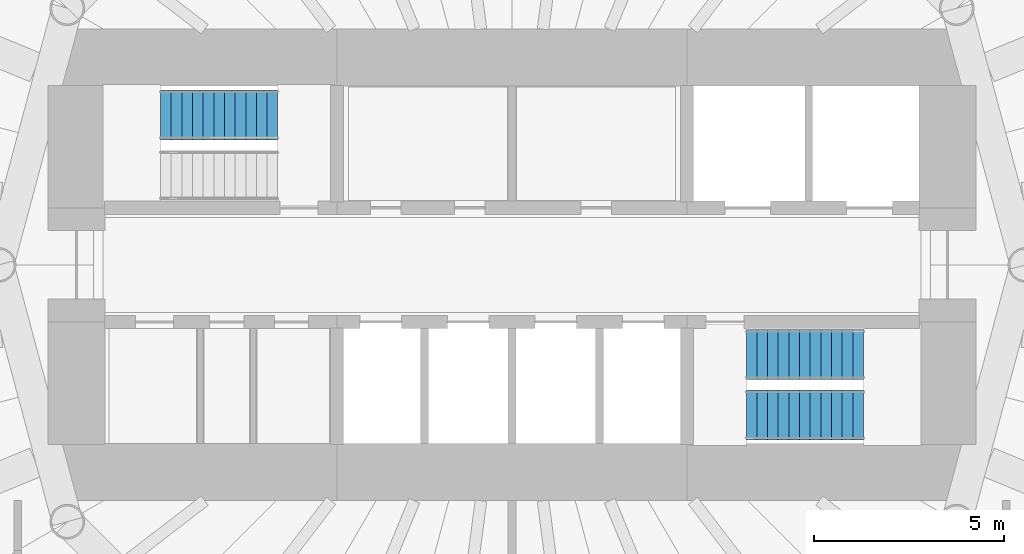
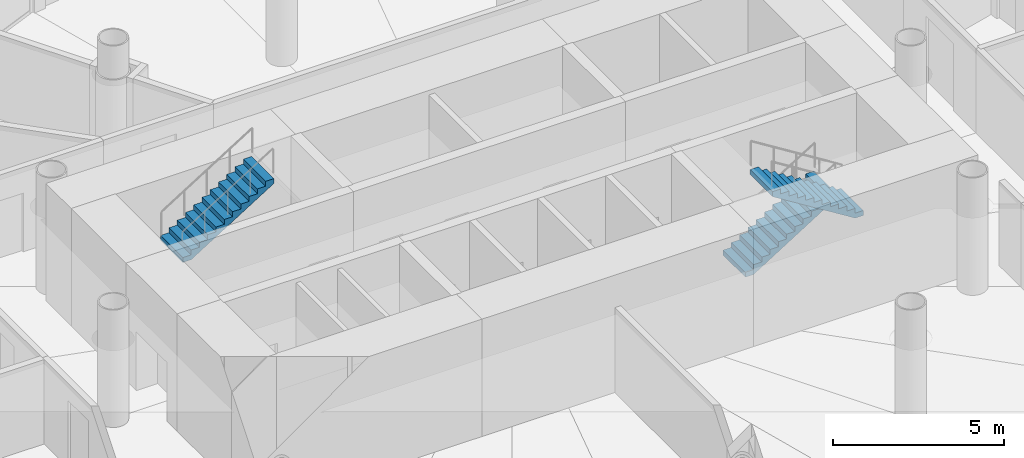
# One storey, part 12 of 16: 3 stair flights, 2 elements without a shape of their own.
"""IFC4 building model written with IfcOpenShell, lengths in metres."""

from ifc_helpers import new_model, si_unit, direction, frame, origin, place, context, subcontext, project, spatial, polyline, outline, extrude, material, type_object, element, aggregate, save


model = new_model("IFC4")

# Units and contexts
model_context = context("Model", 3, precision=1e-05, world=origin(), true_north=direction((0.0, 1.0)))
body_context = subcontext(model_context, "Body", "Model", "MODEL_VIEW")
ifc_project = project(units=[si_unit("LENGTHUNIT", "METRE"), si_unit("AREAUNIT", "SQUARE_METRE"), si_unit("VOLUMEUNIT", "CUBIC_METRE"), si_unit("PLANEANGLEUNIT", "RADIAN"), si_unit("MASSUNIT", "GRAM", prefix="KILO")], contexts=[model_context])

# Site, building, storey
site_placement = place(None, origin())
site = spatial("IfcSite", under=ifc_project, at=site_placement, CompositionType="ELEMENT")
building_placement = place(site_placement, origin())
building = spatial("IfcBuilding", under=site, at=building_placement, Name="Qaws Media Tower", CompositionType="ELEMENT")
storey_placement = place(building_placement, frame((0.0, 0.0, 252.800048828125)))
storey = spatial("IfcBuildingStorey", under=building, at=storey_placement, Name="L58", CompositionType="ELEMENT", Elevation=252.800048828125)

# Stair, stair flight
ifc_material_1 = material(Name="Concrete C40/50", Category="concrete")
stair_type = type_object("IfcStairType", Name="Exit stair", PredefinedType="HALF_TURN_STAIR", material=ifc_material_1)
stair_1_placement = place(storey_placement, origin())
stair_1 = element("IfcStair", 1, at=stair_1_placement, inside=storey, type_object=stair_type, Name="S1 exit stair L58", PredefinedType="HALF_TURN_STAIR")
ifc_material_2 = material(Name="Concrete C40/50", Category="concrete")
stair_flight_type = type_object("IfcStairFlightType", Name="Stair flight 1310", PredefinedType="STRAIGHT", material=ifc_material_2)
stair_flight_1_placement = place(storey_placement, frame((50.760009765625, 53.945068359375, 2.099853515625), z_axis=(0.0, 0.0, 1.0), x_axis=(1.0, 0.0, 0.0)))
stair_flight_1 = element("IfcStairFlight", 2, at=stair_flight_1_placement, type_object=stair_flight_type, Name="S1 flight 2", NumberOfRisers=12, NumberOfTreads=11, PredefinedType="STRAIGHT", RiserHeight=0.175, TreadLength=0.28, context=body_context, shape_type="SweptSolid", body=[
    extrude(outline(polyline([(0.0, 0.0), (0.0, 0.175048828125), (0.280029296875, 0.175048828125), (0.280029296875, 0.35009765625), (0.56005859375, 0.35009765625), (0.56005859375, 0.52490234375), (0.840087890625, 0.52490234375), (0.840087890625, 0.699951171875), (1.1201171875, 0.699951171875), (1.1201171875, 0.875), (1.39990234375, 0.875), (1.39990234375, 1.050048828125), (1.679931640625, 1.050048828125), (1.679931640625, 1.22509765625), (1.9599609375, 1.22509765625), (1.9599609375, 1.39990234375), (2.239990234375, 1.39990234375), (2.239990234375, 1.574951171875), (2.52001953125, 1.574951171875), (2.52001953125, 1.75), (2.800048828125, 1.75), (2.800048828125, 1.925048828125), (3.080078125, 1.925048828125), (3.080078125, 2.10009765625), (3.080078125, 1.748291015625), (0.28271484375, 0.0), (0.0, 0.0)])), frame((0.0, 0.655029296875, 0.0), z_axis=(0.0, -1.0, 0.0), x_axis=(1.0, 0.0, 0.0)), (0.0, 0.0, 1.0), 1.31005859375),
])
aggregate(stair_1, [stair_flight_1])

# Stair, stair flights
stair_2_placement = place(storey_placement, origin())
stair_2 = element("IfcStair", 3, at=stair_2_placement, inside=storey, type_object=stair_type, Name="S2 exit stair L58", PredefinedType="HALF_TURN_STAIR")
stair_flight_2_placement = place(storey_placement, frame((66.159912109375, 47.64501953125, 0.0), z_axis=(0.0, 0.0, 1.0), x_axis=(1.0, 0.0, 0.0)))
stair_flight_2 = element("IfcStairFlight", 4, at=stair_flight_2_placement, type_object=stair_flight_type, Name="S2 flight 1", NumberOfRisers=12, NumberOfTreads=11, PredefinedType="STRAIGHT", RiserHeight=0.175, TreadLength=0.28, context=body_context, shape_type="SweptSolid", body=[
    extrude(outline(polyline([(0.0, 0.0), (0.0, 0.175048828125), (0.280029296875, 0.175048828125), (0.280029296875, 0.35009765625), (0.56005859375, 0.35009765625), (0.56005859375, 0.52490234375), (0.840087890625, 0.52490234375), (0.840087890625, 0.699951171875), (1.1201171875, 0.699951171875), (1.1201171875, 0.875), (1.39990234375, 0.875), (1.39990234375, 1.050048828125), (1.679931640625, 1.050048828125), (1.679931640625, 1.22509765625), (1.9599609375, 1.22509765625), (1.9599609375, 1.39990234375), (2.239990234375, 1.39990234375), (2.239990234375, 1.574951171875), (2.52001953125, 1.574951171875), (2.52001953125, 1.75), (2.800048828125, 1.75), (2.800048828125, 1.925048828125), (3.080078125, 1.925048828125), (3.080078125, 2.10009765625), (3.080078125, 1.748291015625), (0.28271484375, 0.0), (0.0, 0.0)])), frame((0.0, 0.655029296875, 0.0), z_axis=(0.0, -1.0, 0.0), x_axis=(1.0, 0.0, 0.0)), (0.0, 0.0, 1.0), 1.31005859375),
])
stair_flight_3_placement = place(storey_placement, frame((69.239990234375, 46.054931640625, 2.099853515625), z_axis=(0.0, 0.0, 1.0), x_axis=(-1.0, 0.0, 0.0)))
stair_flight_3 = element("IfcStairFlight", 5, at=stair_flight_3_placement, type_object=stair_flight_type, Name="S2 flight 2", NumberOfRisers=12, NumberOfTreads=11, PredefinedType="STRAIGHT", RiserHeight=0.175, TreadLength=0.28, context=body_context, shape_type="SweptSolid", body=[
    extrude(outline(polyline([(0.0, 0.0), (0.0, 0.175048828125), (0.280029296875, 0.175048828125), (0.280029296875, 0.35009765625), (0.56005859375, 0.35009765625), (0.56005859375, 0.52490234375), (0.840087890625, 0.52490234375), (0.840087890625, 0.699951171875), (1.1201171875, 0.699951171875), (1.1201171875, 0.875), (1.39990234375, 0.875), (1.39990234375, 1.050048828125), (1.679931640625, 1.050048828125), (1.679931640625, 1.22509765625), (1.9599609375, 1.22509765625), (1.9599609375, 1.39990234375), (2.239990234375, 1.39990234375), (2.239990234375, 1.574951171875), (2.52001953125, 1.574951171875), (2.52001953125, 1.75), (2.800048828125, 1.75), (2.800048828125, 1.925048828125), (3.080078125, 1.925048828125), (3.080078125, 2.10009765625), (3.080078125, 1.748291015625), (0.28271484375, 0.0), (0.0, 0.0)])), frame((0.0, 0.655029296875, 0.0), z_axis=(0.0, -1.0, 0.0), x_axis=(1.0, 0.0, 0.0)), (0.0, 0.0, 1.0), 1.31005859375),
])
aggregate(stair_2, [stair_flight_2, stair_flight_3])

save(model, "model.ifc")
